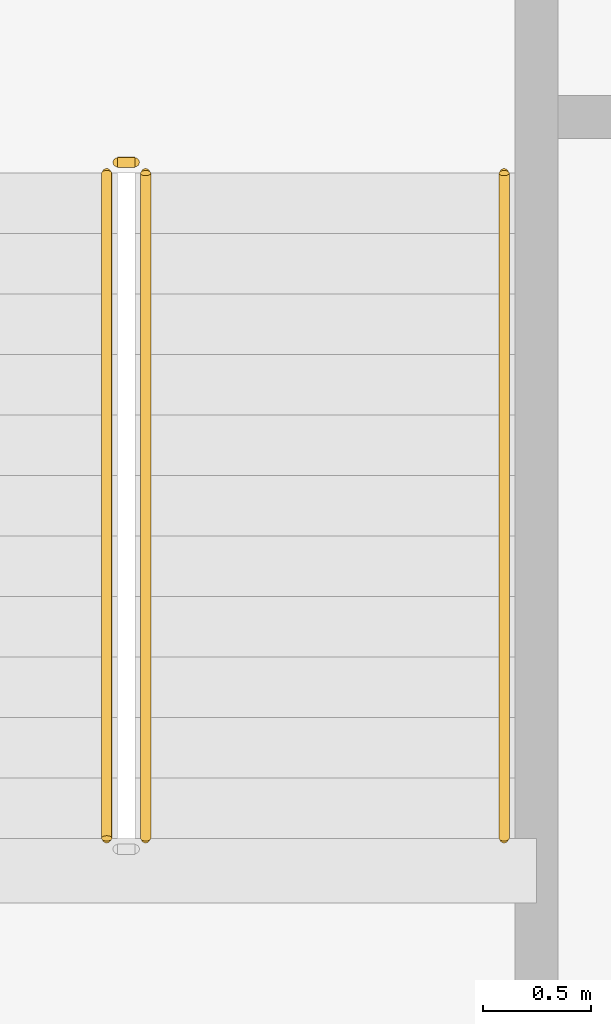
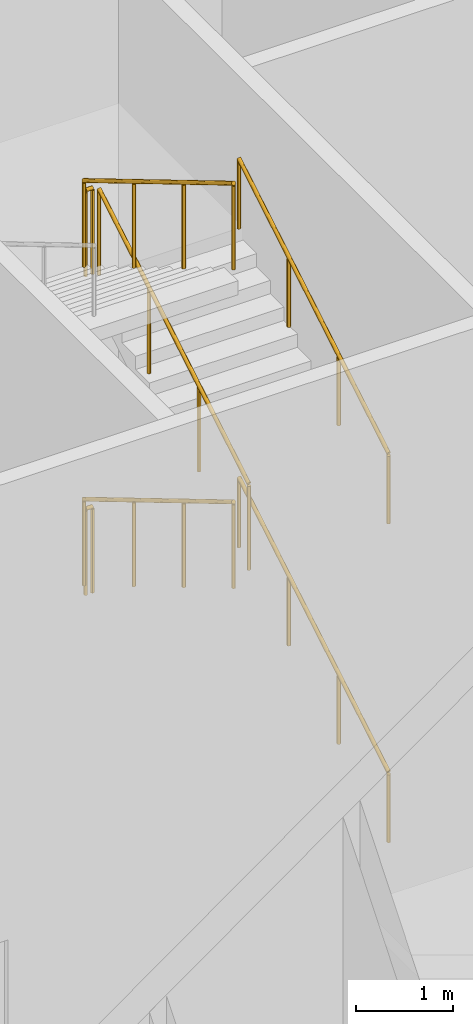
# One storey, part 58 of 63: 7 railings.
"""IFC4 building model written with IfcOpenShell, lengths in metres."""

from ifc_helpers import new_model, si_unit, direction, frame, origin, origin_2d, place, context, subcontext, project, spatial, circle, extrude, material, type_object, element, save


model = new_model("IFC4")

# Units and contexts
model_context = context("Model", 3, precision=1e-05, world=origin(), true_north=direction((0.0, 1.0)))
body_context = subcontext(model_context, "Body", "Model", "MODEL_VIEW")
ifc_project = project(units=[si_unit("LENGTHUNIT", "METRE"), si_unit("AREAUNIT", "SQUARE_METRE"), si_unit("VOLUMEUNIT", "CUBIC_METRE"), si_unit("PLANEANGLEUNIT", "RADIAN"), si_unit("MASSUNIT", "GRAM", prefix="KILO")], contexts=[model_context])

# Site, building, storey
site_placement = place(None, origin())
site = spatial("IfcSite", under=ifc_project, at=site_placement, CompositionType="ELEMENT")
building_placement = place(site_placement, origin())
building = spatial("IfcBuilding", under=site, at=building_placement, Name="Tarsis Ring Headquarters", CompositionType="ELEMENT")
storey_placement = place(building_placement, frame((0.0, 0.0, 139.60009765625)))
storey = spatial("IfcBuildingStorey", under=building, at=storey_placement, Name="L32", CompositionType="ELEMENT", Elevation=139.60009765625)

# Railings
ifc_material = material(Name="Steel S355", Category="steel")
railing_type_1 = type_object("IfcRailingType", Name="Core stair guard 1100", PredefinedType="GUARDRAIL", material=ifc_material)
railing_1_placement = place(storey_placement, frame((4.5400390625, 6.7900390625, 2.0)))
element("IfcRailing", 1, at=railing_1_placement, inside=storey, type_object=railing_type_1, Name="L32 ST2 stair guard 2", PredefinedType="GUARDRAIL", context=body_context, shape_type="SweptSolid", body=[
    extrude(circle(Radius=0.02392578125, at=origin_2d()), frame((0.0, 0.0, 1.076171875), z_axis=(-1.0, 0.0, 0.0), x_axis=(0.0, -1.0, 0.0)), (0.0, 0.0, 1.0), 0.080078125),
    extrude(circle(Radius=0.02099609375, at=origin_2d()), origin(), (0.0, 0.0, 1.0), 1.052001953125),
    extrude(circle(Radius=0.02099609375, at=origin_2d()), frame((-0.080078125, 0.0, 0.0)), (0.0, 0.0, 1.0), 1.052001953125),
])
railing_2_placement = place(storey_placement, frame((4.409912109375, 6.739990234375, 2.16650390625)))
element("IfcRailing", 2, at=railing_2_placement, inside=storey, type_object=railing_type_1, Name="L32 ST2 stair guard 3", PredefinedType="GUARDRAIL", context=body_context, shape_type="SweptSolid", body=[
    extrude(circle(Radius=0.02392578125, at=origin_2d()), frame((0.0, 0.0, 1.076171875), z_axis=(0.0, -0.85927862911, 0.511507807912), x_axis=(1.0, 0.0, 0.0)), (0.0, 0.0, 1.0), 3.58447265625),
    extrude(circle(Radius=0.02099609375, at=origin_2d()), origin(), (0.0, 0.0, 1.0), 1.052001953125),
    extrude(circle(Radius=0.02099609375, at=origin_2d()), frame((0.0, -1.026611328125, 0.611083984375)), (0.0, 0.0, 1.0), 1.052001953125),
    extrude(circle(Radius=0.02099609375, at=origin_2d()), frame((0.0, -2.053466796875, 1.222412109375)), (0.0, 0.0, 1.0), 1.052001953125),
    extrude(circle(Radius=0.02099609375, at=origin_2d()), frame((0.0, -3.080078125, 1.83349609375)), (0.0, 0.0, 1.0), 1.052001953125),
])
railing_3_placement = place(storey_placement, frame((4.590087890625, 3.659912109375, 4.16650390625)))
element("IfcRailing", 3, at=railing_3_placement, inside=storey, type_object=railing_type_1, Name="L32 ST2 stair guard 5", PredefinedType="GUARDRAIL", context=body_context, shape_type="SweptSolid", body=[
    extrude(circle(Radius=0.02392578125, at=origin_2d()), frame((0.0, 0.0, 1.076171875), z_axis=(0.0, 0.85927862911, 0.511507807912), x_axis=(-1.0, 0.0, 0.0)), (0.0, 0.0, 1.0), 3.58447265625),
    extrude(circle(Radius=0.02099609375, at=origin_2d()), origin(), (0.0, 0.0, 1.0), 1.052001953125),
    extrude(circle(Radius=0.02099609375, at=origin_2d()), frame((0.0, 1.026611328125, 0.611083984375)), (0.0, 0.0, 1.0), 1.052001953125),
    extrude(circle(Radius=0.02099609375, at=origin_2d()), frame((0.0, 2.053466796875, 1.222412109375)), (0.0, 0.0, 1.0), 1.052001953125),
    extrude(circle(Radius=0.02099609375, at=origin_2d()), frame((0.0, 3.080078125, 1.83349609375)), (0.0, 0.0, 1.0), 1.052001953125),
])
railing_4_placement = place(storey_placement, frame((4.5400390625, 6.7900390625, 6.0)))
element("IfcRailing", 4, at=railing_4_placement, inside=storey, type_object=railing_type_1, Name="L32 ST2 stair guard 6", PredefinedType="GUARDRAIL", context=body_context, shape_type="SweptSolid", body=[
    extrude(circle(Radius=0.02392578125, at=origin_2d()), frame((0.0, 0.0, 1.076171875), z_axis=(-1.0, 0.0, 0.0), x_axis=(0.0, -1.0, 0.0)), (0.0, 0.0, 1.0), 0.080078125),
    extrude(circle(Radius=0.02099609375, at=origin_2d()), origin(), (0.0, 0.0, 1.0), 1.052001953125),
    extrude(circle(Radius=0.02099609375, at=origin_2d()), frame((-0.080078125, 0.0, 0.0)), (0.0, 0.0, 1.0), 1.052001953125),
])
railing_5_placement = place(storey_placement, frame((4.409912109375, 6.739990234375, 6.16650390625)))
element("IfcRailing", 5, at=railing_5_placement, inside=storey, type_object=railing_type_1, Name="L32 ST2 stair guard 7", PredefinedType="GUARDRAIL", context=body_context, shape_type="SweptSolid", body=[
    extrude(circle(Radius=0.02392578125, at=origin_2d()), frame((0.0, 0.0, 1.076171875), z_axis=(0.0, -0.85927862911, 0.511507807912), x_axis=(1.0, 0.0, 0.0)), (0.0, 0.0, 1.0), 3.58447265625),
    extrude(circle(Radius=0.02099609375, at=origin_2d()), origin(), (0.0, 0.0, 1.0), 1.052001953125),
    extrude(circle(Radius=0.02099609375, at=origin_2d()), frame((0.0, -1.026611328125, 0.611083984375)), (0.0, 0.0, 1.0), 1.052001953125),
    extrude(circle(Radius=0.02099609375, at=origin_2d()), frame((0.0, -2.053466796875, 1.222412109375)), (0.0, 0.0, 1.0), 1.052001953125),
    extrude(circle(Radius=0.02099609375, at=origin_2d()), frame((0.0, -3.080078125, 1.83349609375)), (0.0, 0.0, 1.0), 1.052001953125),
])
railing_type_2 = type_object("IfcRailingType", Name="Core stair handrail 900", PredefinedType="HANDRAIL", material=ifc_material)
for number, where, name in (
    (6, (6.25, 3.659912109375, 0.16650390625), "L32 ST2 stair handrail 1"),
    (7, (6.25, 3.659912109375, 4.16650390625), "L32 ST2 stair handrail 3"),
):
    element("IfcRailing", number, at=place(storey_placement, frame(where)), inside=storey, type_object=railing_type_2, Name=name, PredefinedType="HANDRAIL", context=body_context, shape_type="SweptSolid", body=[
        extrude(circle(Radius=0.02392578125, at=origin_2d()), frame((0.0, 0.0, 0.8759765625), z_axis=(0.0, 0.85927862911, 0.511507807912), x_axis=(-1.0, 0.0, 0.0)), (0.0, 0.0, 1.0), 3.58447265625),
        extrude(circle(Radius=0.02099609375, at=origin_2d()), origin(), (0.0, 0.0, 1.0), 0.851806640625),
        extrude(circle(Radius=0.02099609375, at=origin_2d()), frame((0.0, 1.026611328125, 0.611083984375)), (0.0, 0.0, 1.0), 0.851806640625),
        extrude(circle(Radius=0.02099609375, at=origin_2d()), frame((0.0, 2.053466796875, 1.222412109375)), (0.0, 0.0, 1.0), 0.851806640625),
        extrude(circle(Radius=0.02099609375, at=origin_2d()), frame((0.0, 3.080078125, 1.83349609375)), (0.0, 0.0, 1.0), 0.851806640625),
    ])

save(model, "model.ifc")
